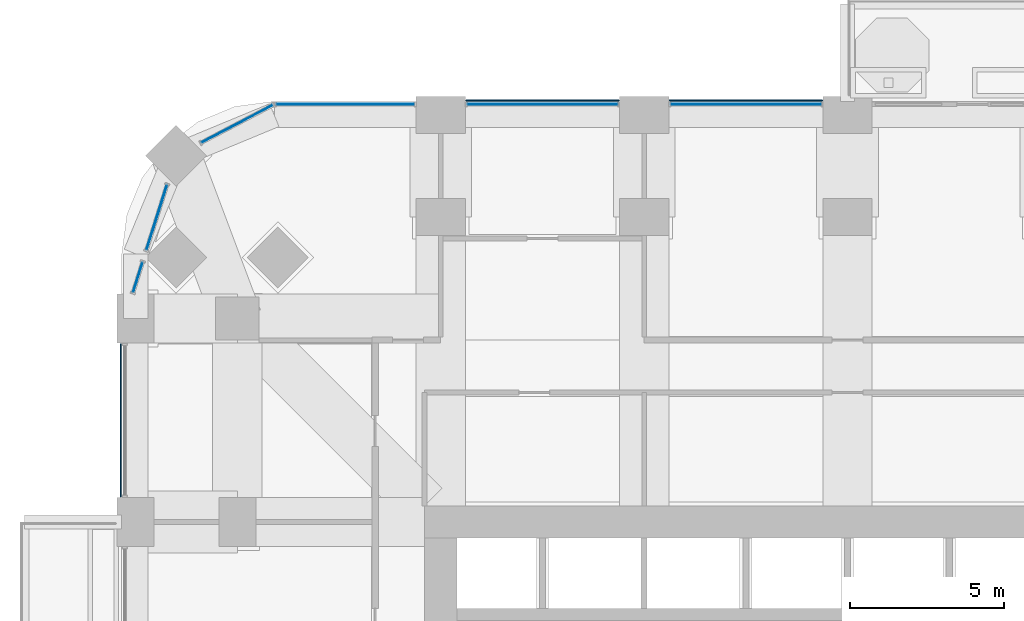
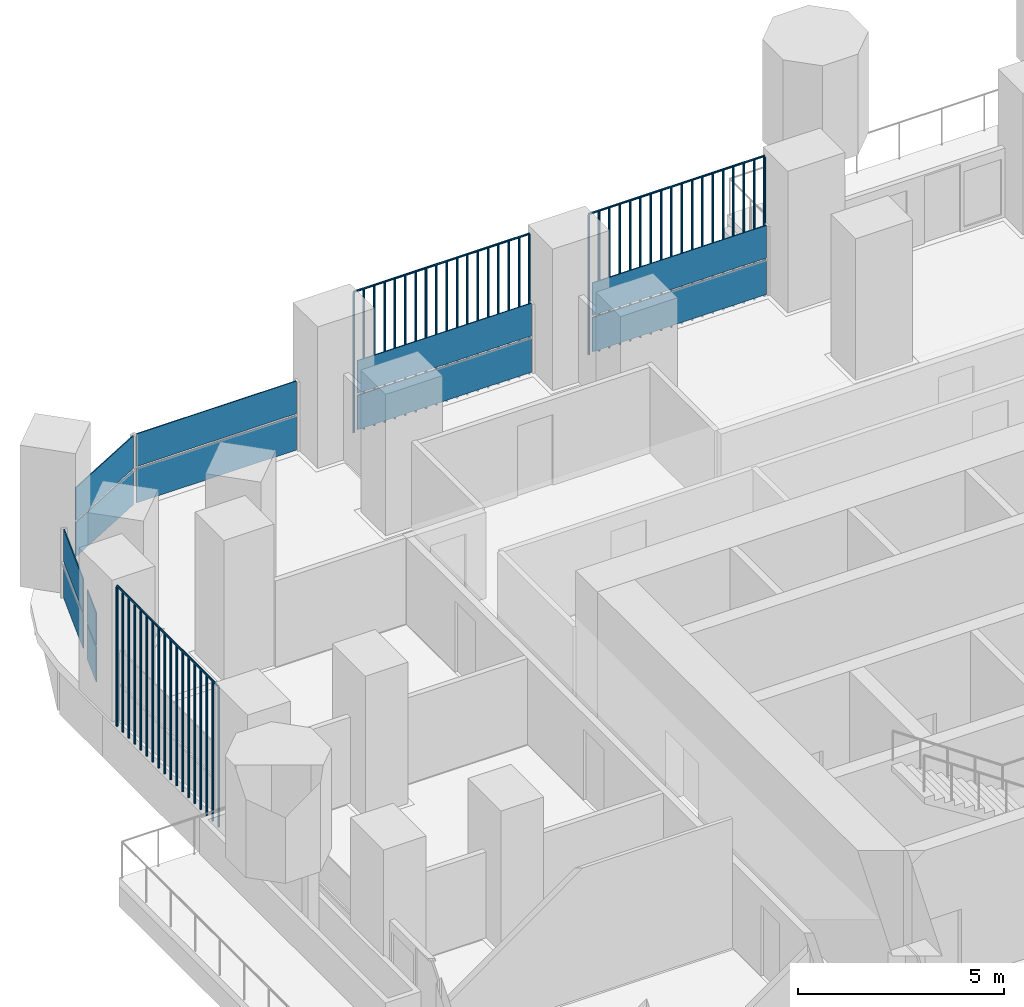
# One storey, part 12 of 22: 15 plates, 6 elements without a shape of their own.
"""IFC4 building model written with IfcOpenShell, lengths in metres."""

from ifc_helpers import new_model, si_unit, direction, frame, origin, origin_2d, place, context, subcontext, project, spatial, polyline, rectangle, outline, extrude, material, layer, layer_set, type_object, element, aggregate, save


model = new_model("IFC4")

# Units and contexts
model_context = context("Model", 3, precision=1e-05, world=origin(), true_north=direction((0.0, 1.0)))
body_context = subcontext(model_context, "Body", "Model", "MODEL_VIEW")
ifc_project = project(units=[si_unit("LENGTHUNIT", "METRE"), si_unit("AREAUNIT", "SQUARE_METRE"), si_unit("VOLUMEUNIT", "CUBIC_METRE"), si_unit("PLANEANGLEUNIT", "RADIAN"), si_unit("MASSUNIT", "GRAM", prefix="KILO")], contexts=[model_context])

# Site, building, storey
site_placement = place(None, origin())
site = spatial("IfcSite", under=ifc_project, at=site_placement, CompositionType="ELEMENT")
building_placement = place(site_placement, origin())
building = spatial("IfcBuilding", under=site, at=building_placement, Name="Cobogo Forest Laboratory Tower", CompositionType="ELEMENT")
storey_placement = place(building_placement, frame((0.0, 0.0, 145.199951171875)))
storey = spatial("IfcBuildingStorey", under=building, at=storey_placement, Name="L33", CompositionType="ELEMENT", Elevation=145.199951171875)

# Curtain wall, plates
ifc_material_1 = material(Name="Aluminium curtain wall", Category="aluminium")
curtain_wall_type = type_object("IfcCurtainWallType", Name="CW-1 unitised curtain wall, clear glazing, laboratory floors zones A and B", PredefinedType="USERDEFINED", material=ifc_material_1)
curtain_wall_1_placement = place(storey_placement, origin())
curtain_wall_1 = element("IfcCurtainWall", 1, at=curtain_wall_1_placement, inside=storey, type_object=curtain_wall_type, Name="Curtain wall 21 L33", ObjectType="UNITISED CURTAIN WALL", PredefinedType="USERDEFINED")
ifc_material_2 = material(Name="Clear insulated glass", Category="glass")
ifc_layer = layer(ifc_material_2, 0.028076171875)
ifc_layer_set = layer_set([ifc_layer], Name="GP-1 clear insulated glass unit 28")
plate_type_1 = type_object("IfcPlateType", Name="GP-1 clear insulated glass unit 28", PredefinedType="CURTAIN_PANEL", material=ifc_layer_set)
plate_1_placement = place(storey_placement, frame((23.10009765625, 46.550048828125, 0.0), z_axis=(0.0, 0.0, 1.0), x_axis=(-1.0, 0.0, 0.0)))
plate_1 = element("IfcPlate", 2, at=plate_1_placement, type_object=plate_type_1, Name="CW-1 panel 1.1", PredefinedType="CURTAIN_PANEL", context=body_context, shape_type="SweptSolid", body=[
    extrude(rectangle(XDim=4.8798828125, YDim=0.028076171875, at=origin_2d()), origin(), (0.0, 0.0, 1.0), 1.02001953125),
])
plate_2_placement = place(storey_placement, frame((23.10009765625, 46.550048828125, 1.080078125), z_axis=(0.0, 0.0, 1.0), x_axis=(-1.0, 0.0, 0.0)))
plate_2 = element("IfcPlate", 3, at=plate_2_placement, type_object=plate_type_1, Name="CW-1 panel 1.2", PredefinedType="CURTAIN_PANEL", context=body_context, shape_type="SweptSolid", body=[
    extrude(rectangle(XDim=4.8798828125, YDim=0.028076171875, at=origin_2d()), origin(), (0.0, 0.0, 1.0), 0.969970703125),
])
aggregate(curtain_wall_1, [plate_1, plate_2])

curtain_wall_2_placement = place(storey_placement, origin())
curtain_wall_2 = element("IfcCurtainWall", 4, at=curtain_wall_2_placement, inside=storey, type_object=curtain_wall_type, Name="Curtain wall 22 L33", ObjectType="UNITISED CURTAIN WALL", PredefinedType="USERDEFINED")
plate_3_placement = place(storey_placement, frame((16.5, 46.550048828125, 0.0), z_axis=(0.0, 0.0, 1.0), x_axis=(-1.0, 0.0, 0.0)))
plate_3 = element("IfcPlate", 5, at=plate_3_placement, type_object=plate_type_1, Name="CW-1 panel 1.1", PredefinedType="CURTAIN_PANEL", context=body_context, shape_type="SweptSolid", body=[
    extrude(rectangle(XDim=4.8798828125, YDim=0.028076171875, at=origin_2d()), origin(), (0.0, 0.0, 1.0), 1.02001953125),
])
plate_4_placement = place(storey_placement, frame((16.5, 46.550048828125, 1.080078125), z_axis=(0.0, 0.0, 1.0), x_axis=(-1.0, 0.0, 0.0)))
plate_4 = element("IfcPlate", 6, at=plate_4_placement, type_object=plate_type_1, Name="CW-1 panel 1.2", PredefinedType="CURTAIN_PANEL", context=body_context, shape_type="SweptSolid", body=[
    extrude(rectangle(XDim=4.8798828125, YDim=0.028076171875, at=origin_2d()), origin(), (0.0, 0.0, 1.0), 0.969970703125),
])
aggregate(curtain_wall_2, [plate_3, plate_4])

curtain_wall_3_placement = place(storey_placement, origin())
curtain_wall_3 = element("IfcCurtainWall", 7, at=curtain_wall_3_placement, inside=storey, type_object=curtain_wall_type, Name="Curtain wall 23 L33", ObjectType="UNITISED CURTAIN WALL", PredefinedType="USERDEFINED")
plate_5_placement = place(storey_placement, frame((10.10009765625, 46.550048828125, 0.0), z_axis=(0.0, 0.0, 1.0), x_axis=(-1.0, 0.0, 0.0)))
plate_5 = element("IfcPlate", 8, at=plate_5_placement, type_object=plate_type_1, Name="CW-1 panel 1.1", PredefinedType="CURTAIN_PANEL", context=body_context, shape_type="SweptSolid", body=[
    extrude(rectangle(XDim=4.47998046875, YDim=0.028076171875, at=origin_2d()), origin(), (0.0, 0.0, 1.0), 1.02001953125),
])
plate_6_placement = place(storey_placement, frame((10.10009765625, 46.550048828125, 1.080078125), z_axis=(0.0, 0.0, 1.0), x_axis=(-1.0, 0.0, 0.0)))
plate_6 = element("IfcPlate", 9, at=plate_6_placement, type_object=plate_type_1, Name="CW-1 panel 1.2", PredefinedType="CURTAIN_PANEL", context=body_context, shape_type="SweptSolid", body=[
    extrude(rectangle(XDim=4.47998046875, YDim=0.028076171875, at=origin_2d()), origin(), (0.0, 0.0, 1.0), 0.969970703125),
])
aggregate(curtain_wall_3, [plate_5, plate_6])

curtain_wall_4_placement = place(storey_placement, origin())
curtain_wall_4 = element("IfcCurtainWall", 10, at=curtain_wall_4_placement, inside=storey, type_object=curtain_wall_type, Name="Curtain wall 24 L33", ObjectType="UNITISED CURTAIN WALL", PredefinedType="USERDEFINED")
plate_7_placement = place(storey_placement, frame((6.593994140625, 45.917724609375, 0.0), z_axis=(0.0, 0.0, 1.0), x_axis=(-0.885686540666, -0.464283697413, 0.0)))
plate_7 = element("IfcPlate", 11, at=plate_7_placement, type_object=plate_type_1, Name="CW-1 panel 1.1", PredefinedType="CURTAIN_PANEL", context=body_context, shape_type="SweptSolid", body=[
    extrude(rectangle(XDim=2.603271484375, YDim=0.028076171875, at=origin_2d()), origin(), (0.0, 0.0, 1.0), 1.02001953125),
])
plate_8_placement = place(storey_placement, frame((6.593994140625, 45.917724609375, 1.080078125), z_axis=(0.0, 0.0, 1.0), x_axis=(-0.885686540666, -0.464283697413, 0.0)))
plate_8 = element("IfcPlate", 12, at=plate_8_placement, type_object=plate_type_1, Name="CW-1 panel 1.2", PredefinedType="CURTAIN_PANEL", context=body_context, shape_type="SweptSolid", body=[
    extrude(rectangle(XDim=2.603271484375, YDim=0.028076171875, at=origin_2d()), origin(), (0.0, 0.0, 1.0), 0.969970703125),
])
aggregate(curtain_wall_4, [plate_7, plate_8])

curtain_wall_5_placement = place(storey_placement, origin())
curtain_wall_5 = element("IfcCurtainWall", 13, at=curtain_wall_5_placement, inside=storey, type_object=curtain_wall_type, Name="Curtain wall 25 L33", ObjectType="UNITISED CURTAIN WALL", PredefinedType="USERDEFINED")
plate_9_placement = place(storey_placement, frame((3.986572265625, 42.882080078125, 0.0), z_axis=(0.0, 0.0, 1.0), x_axis=(-0.301135343623, -0.953581409645, 0.0)))
plate_9 = element("IfcPlate", 14, at=plate_9_placement, type_object=plate_type_1, Name="CW-1 panel 1.1", PredefinedType="CURTAIN_PANEL", context=body_context, shape_type="SweptSolid", body=[
    extrude(rectangle(XDim=2.203369140625, YDim=0.028076171875, at=origin_2d()), origin(), (0.0, 0.0, 1.0), 1.02001953125),
])
plate_10_placement = place(storey_placement, frame((3.986572265625, 42.882080078125, 1.080078125), z_axis=(0.0, 0.0, 1.0), x_axis=(-0.301135343623, -0.953581409645, 0.0)))
plate_10 = element("IfcPlate", 15, at=plate_10_placement, type_object=plate_type_1, Name="CW-1 panel 1.2", PredefinedType="CURTAIN_PANEL", context=body_context, shape_type="SweptSolid", body=[
    extrude(rectangle(XDim=2.203369140625, YDim=0.028076171875, at=origin_2d()), origin(), (0.0, 0.0, 1.0), 0.969970703125),
])
aggregate(curtain_wall_5, [plate_9, plate_10])

curtain_wall_6_placement = place(storey_placement, origin())
curtain_wall_6 = element("IfcCurtainWall", 16, at=curtain_wall_6_placement, inside=storey, type_object=curtain_wall_type, Name="Curtain wall 26 L33", ObjectType="UNITISED CURTAIN WALL", PredefinedType="USERDEFINED")
plate_11_placement = place(storey_placement, frame((3.37353515625, 40.94091796875, 0.0), z_axis=(0.0, 0.0, 1.0), x_axis=(-0.3011355018, -0.953581359694, 0.0)))
plate_11 = element("IfcPlate", 17, at=plate_11_placement, type_object=plate_type_1, Name="CW-1 panel 1.1", PredefinedType="CURTAIN_PANEL", context=body_context, shape_type="SweptSolid", body=[
    extrude(rectangle(XDim=1.0146484375, YDim=0.028076171875, at=origin_2d()), origin(), (0.0, 0.0, 1.0), 1.02001953125),
])
plate_12_placement = place(storey_placement, frame((3.37353515625, 40.94091796875, 1.080078125), z_axis=(0.0, 0.0, 1.0), x_axis=(-0.3011355018, -0.953581359694, 0.0)))
plate_12 = element("IfcPlate", 18, at=plate_12_placement, type_object=plate_type_1, Name="CW-1 panel 1.2", PredefinedType="CURTAIN_PANEL", context=body_context, shape_type="SweptSolid", body=[
    extrude(rectangle(XDim=1.0146484375, YDim=0.028076171875, at=origin_2d()), origin(), (0.0, 0.0, 1.0), 0.969970703125),
])
aggregate(curtain_wall_6, [plate_11, plate_12])

# Plates
ifc_material_3 = material(Name="Terracotta", Category="masonry")
plate_type_2 = type_object("IfcPlateType", Name="TB1 terracotta baguette screen", PredefinedType="USERDEFINED", material=ifc_material_3)
plate_13_placement = place(storey_placement, frame((14.03125, 46.677978515625, -0.14990234375)))
element("IfcPlate", 19, at=plate_13_placement, inside=storey, type_object=plate_type_2, Name="Baguette screen N1 L33", ObjectType="BAGUETTE SCREEN", PredefinedType="USERDEFINED", context=body_context, shape_type="SweptSolid", body=[
    extrude(outline(polyline([(0.02880859375, 0.011962890625), (0.011962890625, 0.02880859375), (-0.011962890625, 0.02880859375), (-0.02880859375, 0.011962890625), (-0.02880859375, -0.011962890625), (-0.011962890625, -0.02880859375), (0.011962890625, -0.02880859375), (0.02880859375, -0.011962890625), (0.02880859375, 0.011962890625)])), frame((0.0, 0.0, 4.168701171875), z_axis=(1.0, 0.0, 0.0), x_axis=(0.0, 1.0, 0.0)), (0.0, 0.0, 1.0), 4.9375),
    extrude(outline(polyline([(0.02880859375, 0.011962890625), (0.011962890625, 0.02880859375), (-0.011962890625, 0.02880859375), (-0.02880859375, 0.011962890625), (-0.02880859375, -0.011962890625), (-0.011962890625, -0.02880859375), (0.011962890625, -0.02880859375), (0.02880859375, -0.011962890625), (0.02880859375, 0.011962890625)])), origin(), (0.0, 0.0, 1.0), 4.137451171875),
    extrude(outline(polyline([(0.02880859375, 0.011962890625), (0.011962890625, 0.02880859375), (-0.011962890625, 0.02880859375), (-0.02880859375, 0.011962890625), (-0.02880859375, -0.011962890625), (-0.011962890625, -0.02880859375), (0.011962890625, -0.02880859375), (0.02880859375, -0.011962890625), (0.02880859375, 0.011962890625)])), frame((0.29052734375, 0.0, 0.0)), (0.0, 0.0, 1.0), 4.137451171875),
    extrude(outline(polyline([(0.02880859375, 0.011962890625), (0.011962890625, 0.02880859375), (-0.011962890625, 0.02880859375), (-0.02880859375, 0.011962890625), (-0.02880859375, -0.011962890625), (-0.011962890625, -0.02880859375), (0.011962890625, -0.02880859375), (0.02880859375, -0.011962890625), (0.02880859375, 0.011962890625)])), frame((0.580810546875, 0.0, 0.0)), (0.0, 0.0, 1.0), 4.137451171875),
    extrude(outline(polyline([(0.02880859375, 0.011962890625), (0.011962890625, 0.02880859375), (-0.011962890625, 0.02880859375), (-0.02880859375, 0.011962890625), (-0.02880859375, -0.011962890625), (-0.011962890625, -0.02880859375), (0.011962890625, -0.02880859375), (0.02880859375, -0.011962890625), (0.02880859375, 0.011962890625)])), frame((0.871337890625, 0.0, 0.0)), (0.0, 0.0, 1.0), 4.137451171875),
    extrude(outline(polyline([(0.02880859375, 0.011962890625), (0.011962890625, 0.02880859375), (-0.011962890625, 0.02880859375), (-0.02880859375, 0.011962890625), (-0.02880859375, -0.011962890625), (-0.011962890625, -0.02880859375), (0.011962890625, -0.02880859375), (0.02880859375, -0.011962890625), (0.02880859375, 0.011962890625)])), frame((1.161865234375, 0.0, 0.0)), (0.0, 0.0, 1.0), 4.137451171875),
    extrude(outline(polyline([(0.02880859375, 0.011962890625), (0.011962890625, 0.02880859375), (-0.011962890625, 0.02880859375), (-0.02880859375, 0.011962890625), (-0.02880859375, -0.011962890625), (-0.011962890625, -0.02880859375), (0.011962890625, -0.02880859375), (0.02880859375, -0.011962890625), (0.02880859375, 0.011962890625)])), frame((1.4521484375, 0.0, 0.0)), (0.0, 0.0, 1.0), 4.137451171875),
    extrude(outline(polyline([(0.02880859375, 0.011962890625), (0.011962890625, 0.02880859375), (-0.011962890625, 0.02880859375), (-0.02880859375, 0.011962890625), (-0.02880859375, -0.011962890625), (-0.011962890625, -0.02880859375), (0.011962890625, -0.02880859375), (0.02880859375, -0.011962890625), (0.02880859375, 0.011962890625)])), frame((1.74267578125, 0.0, 0.0)), (0.0, 0.0, 1.0), 4.137451171875),
    extrude(outline(polyline([(0.02880859375, 0.011962890625), (0.011962890625, 0.02880859375), (-0.011962890625, 0.02880859375), (-0.02880859375, 0.011962890625), (-0.02880859375, -0.011962890625), (-0.011962890625, -0.02880859375), (0.011962890625, -0.02880859375), (0.02880859375, -0.011962890625), (0.02880859375, 0.011962890625)])), frame((2.033203125, 0.0, 0.0)), (0.0, 0.0, 1.0), 4.137451171875),
    extrude(outline(polyline([(0.02880859375, 0.011962890625), (0.011962890625, 0.02880859375), (-0.011962890625, 0.02880859375), (-0.02880859375, 0.011962890625), (-0.02880859375, -0.011962890625), (-0.011962890625, -0.02880859375), (0.011962890625, -0.02880859375), (0.02880859375, -0.011962890625), (0.02880859375, 0.011962890625)])), frame((2.323486328125, 0.0, 0.0)), (0.0, 0.0, 1.0), 4.137451171875),
    extrude(outline(polyline([(0.02880859375, 0.011962890625), (0.011962890625, 0.02880859375), (-0.011962890625, 0.02880859375), (-0.02880859375, 0.011962890625), (-0.02880859375, -0.011962890625), (-0.011962890625, -0.02880859375), (0.011962890625, -0.02880859375), (0.02880859375, -0.011962890625), (0.02880859375, 0.011962890625)])), frame((2.614013671875, 0.0, 0.0)), (0.0, 0.0, 1.0), 4.137451171875),
    extrude(outline(polyline([(0.02880859375, 0.011962890625), (0.011962890625, 0.02880859375), (-0.011962890625, 0.02880859375), (-0.02880859375, 0.011962890625), (-0.02880859375, -0.011962890625), (-0.011962890625, -0.02880859375), (0.011962890625, -0.02880859375), (0.02880859375, -0.011962890625), (0.02880859375, 0.011962890625)])), frame((2.904296875, 0.0, 0.0)), (0.0, 0.0, 1.0), 4.137451171875),
    extrude(outline(polyline([(0.02880859375, 0.011962890625), (0.011962890625, 0.02880859375), (-0.011962890625, 0.02880859375), (-0.02880859375, 0.011962890625), (-0.02880859375, -0.011962890625), (-0.011962890625, -0.02880859375), (0.011962890625, -0.02880859375), (0.02880859375, -0.011962890625), (0.02880859375, 0.011962890625)])), frame((3.19482421875, 0.0, 0.0)), (0.0, 0.0, 1.0), 4.137451171875),
    extrude(outline(polyline([(0.02880859375, 0.011962890625), (0.011962890625, 0.02880859375), (-0.011962890625, 0.02880859375), (-0.02880859375, 0.011962890625), (-0.02880859375, -0.011962890625), (-0.011962890625, -0.02880859375), (0.011962890625, -0.02880859375), (0.02880859375, -0.011962890625), (0.02880859375, 0.011962890625)])), frame((3.4853515625, 0.0, 0.0)), (0.0, 0.0, 1.0), 4.137451171875),
    extrude(outline(polyline([(0.02880859375, 0.011962890625), (0.011962890625, 0.02880859375), (-0.011962890625, 0.02880859375), (-0.02880859375, 0.011962890625), (-0.02880859375, -0.011962890625), (-0.011962890625, -0.02880859375), (0.011962890625, -0.02880859375), (0.02880859375, -0.011962890625), (0.02880859375, 0.011962890625)])), frame((3.775634765625, 0.0, 0.0)), (0.0, 0.0, 1.0), 4.137451171875),
    extrude(outline(polyline([(0.02880859375, 0.011962890625), (0.011962890625, 0.02880859375), (-0.011962890625, 0.02880859375), (-0.02880859375, 0.011962890625), (-0.02880859375, -0.011962890625), (-0.011962890625, -0.02880859375), (0.011962890625, -0.02880859375), (0.02880859375, -0.011962890625), (0.02880859375, 0.011962890625)])), frame((4.066162109375, 0.0, 0.0)), (0.0, 0.0, 1.0), 4.137451171875),
    extrude(outline(polyline([(0.02880859375, 0.011962890625), (0.011962890625, 0.02880859375), (-0.011962890625, 0.02880859375), (-0.02880859375, 0.011962890625), (-0.02880859375, -0.011962890625), (-0.011962890625, -0.02880859375), (0.011962890625, -0.02880859375), (0.02880859375, -0.011962890625), (0.02880859375, 0.011962890625)])), frame((4.356689453125, 0.0, 0.0)), (0.0, 0.0, 1.0), 4.137451171875),
    extrude(outline(polyline([(0.02880859375, 0.011962890625), (0.011962890625, 0.02880859375), (-0.011962890625, 0.02880859375), (-0.02880859375, 0.011962890625), (-0.02880859375, -0.011962890625), (-0.011962890625, -0.02880859375), (0.011962890625, -0.02880859375), (0.02880859375, -0.011962890625), (0.02880859375, 0.011962890625)])), frame((4.64697265625, 0.0, 0.0)), (0.0, 0.0, 1.0), 4.137451171875),
    extrude(outline(polyline([(0.02880859375, 0.011962890625), (0.011962890625, 0.02880859375), (-0.011962890625, 0.02880859375), (-0.02880859375, 0.011962890625), (-0.02880859375, -0.011962890625), (-0.011962890625, -0.02880859375), (0.011962890625, -0.02880859375), (0.02880859375, -0.011962890625), (0.02880859375, 0.011962890625)])), frame((4.9375, 0.0, 0.0)), (0.0, 0.0, 1.0), 4.137451171875),
])
plate_14_placement = place(storey_placement, frame((20.63134765625, 46.677978515625, -0.14990234375)))
element("IfcPlate", 20, at=plate_14_placement, inside=storey, type_object=plate_type_2, Name="Baguette screen N2 L33", ObjectType="BAGUETTE SCREEN", PredefinedType="USERDEFINED", context=body_context, shape_type="SweptSolid", body=[
    extrude(outline(polyline([(0.02880859375, 0.011962890625), (0.011962890625, 0.02880859375), (-0.011962890625, 0.02880859375), (-0.02880859375, 0.011962890625), (-0.02880859375, -0.011962890625), (-0.011962890625, -0.02880859375), (0.011962890625, -0.02880859375), (0.02880859375, -0.011962890625), (0.02880859375, 0.011962890625)])), frame((0.0, 0.0, 4.168701171875), z_axis=(1.0, 0.0, 0.0), x_axis=(0.0, 1.0, 0.0)), (0.0, 0.0, 1.0), 4.9375),
    extrude(outline(polyline([(0.02880859375, 0.011962890625), (0.011962890625, 0.02880859375), (-0.011962890625, 0.02880859375), (-0.02880859375, 0.011962890625), (-0.02880859375, -0.011962890625), (-0.011962890625, -0.02880859375), (0.011962890625, -0.02880859375), (0.02880859375, -0.011962890625), (0.02880859375, 0.011962890625)])), origin(), (0.0, 0.0, 1.0), 4.137451171875),
    extrude(outline(polyline([(0.02880859375, 0.011962890625), (0.011962890625, 0.02880859375), (-0.011962890625, 0.02880859375), (-0.02880859375, 0.011962890625), (-0.02880859375, -0.011962890625), (-0.011962890625, -0.02880859375), (0.011962890625, -0.02880859375), (0.02880859375, -0.011962890625), (0.02880859375, 0.011962890625)])), frame((0.29052734375, 0.0, 0.0)), (0.0, 0.0, 1.0), 4.137451171875),
    extrude(outline(polyline([(0.02880859375, 0.011962890625), (0.011962890625, 0.02880859375), (-0.011962890625, 0.02880859375), (-0.02880859375, 0.011962890625), (-0.02880859375, -0.011962890625), (-0.011962890625, -0.02880859375), (0.011962890625, -0.02880859375), (0.02880859375, -0.011962890625), (0.02880859375, 0.011962890625)])), frame((0.580810546875, 0.0, 0.0)), (0.0, 0.0, 1.0), 4.137451171875),
    extrude(outline(polyline([(0.02880859375, 0.011962890625), (0.011962890625, 0.02880859375), (-0.011962890625, 0.02880859375), (-0.02880859375, 0.011962890625), (-0.02880859375, -0.011962890625), (-0.011962890625, -0.02880859375), (0.011962890625, -0.02880859375), (0.02880859375, -0.011962890625), (0.02880859375, 0.011962890625)])), frame((0.871337890625, 0.0, 0.0)), (0.0, 0.0, 1.0), 4.137451171875),
    extrude(outline(polyline([(0.02880859375, 0.011962890625), (0.011962890625, 0.02880859375), (-0.011962890625, 0.02880859375), (-0.02880859375, 0.011962890625), (-0.02880859375, -0.011962890625), (-0.011962890625, -0.02880859375), (0.011962890625, -0.02880859375), (0.02880859375, -0.011962890625), (0.02880859375, 0.011962890625)])), frame((1.161865234375, 0.0, 0.0)), (0.0, 0.0, 1.0), 4.137451171875),
    extrude(outline(polyline([(0.02880859375, 0.011962890625), (0.011962890625, 0.02880859375), (-0.011962890625, 0.02880859375), (-0.02880859375, 0.011962890625), (-0.02880859375, -0.011962890625), (-0.011962890625, -0.02880859375), (0.011962890625, -0.02880859375), (0.02880859375, -0.011962890625), (0.02880859375, 0.011962890625)])), frame((1.4521484375, 0.0, 0.0)), (0.0, 0.0, 1.0), 4.137451171875),
    extrude(outline(polyline([(0.02880859375, 0.011962890625), (0.011962890625, 0.02880859375), (-0.011962890625, 0.02880859375), (-0.02880859375, 0.011962890625), (-0.02880859375, -0.011962890625), (-0.011962890625, -0.02880859375), (0.011962890625, -0.02880859375), (0.02880859375, -0.011962890625), (0.02880859375, 0.011962890625)])), frame((1.74267578125, 0.0, 0.0)), (0.0, 0.0, 1.0), 4.137451171875),
    extrude(outline(polyline([(0.02880859375, 0.011962890625), (0.011962890625, 0.02880859375), (-0.011962890625, 0.02880859375), (-0.02880859375, 0.011962890625), (-0.02880859375, -0.011962890625), (-0.011962890625, -0.02880859375), (0.011962890625, -0.02880859375), (0.02880859375, -0.011962890625), (0.02880859375, 0.011962890625)])), frame((2.033203125, 0.0, 0.0)), (0.0, 0.0, 1.0), 4.137451171875),
    extrude(outline(polyline([(0.02880859375, 0.011962890625), (0.011962890625, 0.02880859375), (-0.011962890625, 0.02880859375), (-0.02880859375, 0.011962890625), (-0.02880859375, -0.011962890625), (-0.011962890625, -0.02880859375), (0.011962890625, -0.02880859375), (0.02880859375, -0.011962890625), (0.02880859375, 0.011962890625)])), frame((2.323486328125, 0.0, 0.0)), (0.0, 0.0, 1.0), 4.137451171875),
    extrude(outline(polyline([(0.02880859375, 0.011962890625), (0.011962890625, 0.02880859375), (-0.011962890625, 0.02880859375), (-0.02880859375, 0.011962890625), (-0.02880859375, -0.011962890625), (-0.011962890625, -0.02880859375), (0.011962890625, -0.02880859375), (0.02880859375, -0.011962890625), (0.02880859375, 0.011962890625)])), frame((2.614013671875, 0.0, 0.0)), (0.0, 0.0, 1.0), 4.137451171875),
    extrude(outline(polyline([(0.02880859375, 0.011962890625), (0.011962890625, 0.02880859375), (-0.011962890625, 0.02880859375), (-0.02880859375, 0.011962890625), (-0.02880859375, -0.011962890625), (-0.011962890625, -0.02880859375), (0.011962890625, -0.02880859375), (0.02880859375, -0.011962890625), (0.02880859375, 0.011962890625)])), frame((2.904296875, 0.0, 0.0)), (0.0, 0.0, 1.0), 4.137451171875),
    extrude(outline(polyline([(0.02880859375, 0.011962890625), (0.011962890625, 0.02880859375), (-0.011962890625, 0.02880859375), (-0.02880859375, 0.011962890625), (-0.02880859375, -0.011962890625), (-0.011962890625, -0.02880859375), (0.011962890625, -0.02880859375), (0.02880859375, -0.011962890625), (0.02880859375, 0.011962890625)])), frame((3.19482421875, 0.0, 0.0)), (0.0, 0.0, 1.0), 4.137451171875),
    extrude(outline(polyline([(0.02880859375, 0.011962890625), (0.011962890625, 0.02880859375), (-0.011962890625, 0.02880859375), (-0.02880859375, 0.011962890625), (-0.02880859375, -0.011962890625), (-0.011962890625, -0.02880859375), (0.011962890625, -0.02880859375), (0.02880859375, -0.011962890625), (0.02880859375, 0.011962890625)])), frame((3.4853515625, 0.0, 0.0)), (0.0, 0.0, 1.0), 4.137451171875),
    extrude(outline(polyline([(0.02880859375, 0.011962890625), (0.011962890625, 0.02880859375), (-0.011962890625, 0.02880859375), (-0.02880859375, 0.011962890625), (-0.02880859375, -0.011962890625), (-0.011962890625, -0.02880859375), (0.011962890625, -0.02880859375), (0.02880859375, -0.011962890625), (0.02880859375, 0.011962890625)])), frame((3.775634765625, 0.0, 0.0)), (0.0, 0.0, 1.0), 4.137451171875),
    extrude(outline(polyline([(0.02880859375, 0.011962890625), (0.011962890625, 0.02880859375), (-0.011962890625, 0.02880859375), (-0.02880859375, 0.011962890625), (-0.02880859375, -0.011962890625), (-0.011962890625, -0.02880859375), (0.011962890625, -0.02880859375), (0.02880859375, -0.011962890625), (0.02880859375, 0.011962890625)])), frame((4.066162109375, 0.0, 0.0)), (0.0, 0.0, 1.0), 4.137451171875),
    extrude(outline(polyline([(0.02880859375, 0.011962890625), (0.011962890625, 0.02880859375), (-0.011962890625, 0.02880859375), (-0.02880859375, 0.011962890625), (-0.02880859375, -0.011962890625), (-0.011962890625, -0.02880859375), (0.011962890625, -0.02880859375), (0.02880859375, -0.011962890625), (0.02880859375, 0.011962890625)])), frame((4.356689453125, 0.0, 0.0)), (0.0, 0.0, 1.0), 4.137451171875),
    extrude(outline(polyline([(0.02880859375, 0.011962890625), (0.011962890625, 0.02880859375), (-0.011962890625, 0.02880859375), (-0.02880859375, 0.011962890625), (-0.02880859375, -0.011962890625), (-0.011962890625, -0.02880859375), (0.011962890625, -0.02880859375), (0.02880859375, -0.011962890625), (0.02880859375, 0.011962890625)])), frame((4.64697265625, 0.0, 0.0)), (0.0, 0.0, 1.0), 4.137451171875),
    extrude(outline(polyline([(0.02880859375, 0.011962890625), (0.011962890625, 0.02880859375), (-0.011962890625, 0.02880859375), (-0.02880859375, 0.011962890625), (-0.02880859375, -0.011962890625), (-0.011962890625, -0.02880859375), (0.011962890625, -0.02880859375), (0.02880859375, -0.011962890625), (0.02880859375, 0.011962890625)])), frame((4.9375, 0.0, 0.0)), (0.0, 0.0, 1.0), 4.137451171875),
])
plate_15_placement = place(storey_placement, frame((2.822021484375, 33.831298828125, -0.14990234375)))
element("IfcPlate", 21, at=plate_15_placement, inside=storey, type_object=plate_type_2, Name="Baguette screen W5 L33", ObjectType="BAGUETTE SCREEN", PredefinedType="USERDEFINED", context=body_context, shape_type="SweptSolid", body=[
    extrude(outline(polyline([(0.02880859375, 0.011962890625), (0.011962890625, 0.02880859375), (-0.011962890625, 0.02880859375), (-0.02880859375, 0.011962890625), (-0.02880859375, -0.011962890625), (-0.011962890625, -0.02880859375), (0.011962890625, -0.02880859375), (0.02880859375, -0.011962890625), (0.02880859375, 0.011962890625)])), frame((0.0, 0.0, 4.168701171875), z_axis=(0.0, 1.0, 0.0), x_axis=(-1.0, 0.0, 0.0)), (0.0, 0.0, 1.0), 4.9375),
    extrude(outline(polyline([(0.02880859375, 0.011962890625), (0.011962890625, 0.02880859375), (-0.011962890625, 0.02880859375), (-0.02880859375, 0.011962890625), (-0.02880859375, -0.011962890625), (-0.011962890625, -0.02880859375), (0.011962890625, -0.02880859375), (0.02880859375, -0.011962890625), (0.02880859375, 0.011962890625)])), origin(), (0.0, 0.0, 1.0), 4.137451171875),
    extrude(outline(polyline([(0.02880859375, 0.011962890625), (0.011962890625, 0.02880859375), (-0.011962890625, 0.02880859375), (-0.02880859375, 0.011962890625), (-0.02880859375, -0.011962890625), (-0.011962890625, -0.02880859375), (0.011962890625, -0.02880859375), (0.02880859375, -0.011962890625), (0.02880859375, 0.011962890625)])), frame((0.0, 0.29052734375, 0.0)), (0.0, 0.0, 1.0), 4.137451171875),
    extrude(outline(polyline([(0.02880859375, 0.011962890625), (0.011962890625, 0.02880859375), (-0.011962890625, 0.02880859375), (-0.02880859375, 0.011962890625), (-0.02880859375, -0.011962890625), (-0.011962890625, -0.02880859375), (0.011962890625, -0.02880859375), (0.02880859375, -0.011962890625), (0.02880859375, 0.011962890625)])), frame((0.0, 0.580810546875, 0.0)), (0.0, 0.0, 1.0), 4.137451171875),
    extrude(outline(polyline([(0.02880859375, 0.011962890625), (0.011962890625, 0.02880859375), (-0.011962890625, 0.02880859375), (-0.02880859375, 0.011962890625), (-0.02880859375, -0.011962890625), (-0.011962890625, -0.02880859375), (0.011962890625, -0.02880859375), (0.02880859375, -0.011962890625), (0.02880859375, 0.011962890625)])), frame((0.0, 0.871337890625, 0.0)), (0.0, 0.0, 1.0), 4.137451171875),
    extrude(outline(polyline([(0.02880859375, 0.011962890625), (0.011962890625, 0.02880859375), (-0.011962890625, 0.02880859375), (-0.02880859375, 0.011962890625), (-0.02880859375, -0.011962890625), (-0.011962890625, -0.02880859375), (0.011962890625, -0.02880859375), (0.02880859375, -0.011962890625), (0.02880859375, 0.011962890625)])), frame((0.0, 1.161865234375, 0.0)), (0.0, 0.0, 1.0), 4.137451171875),
    extrude(outline(polyline([(0.02880859375, 0.011962890625), (0.011962890625, 0.02880859375), (-0.011962890625, 0.02880859375), (-0.02880859375, 0.011962890625), (-0.02880859375, -0.011962890625), (-0.011962890625, -0.02880859375), (0.011962890625, -0.02880859375), (0.02880859375, -0.011962890625), (0.02880859375, 0.011962890625)])), frame((0.0, 1.4521484375, 0.0)), (0.0, 0.0, 1.0), 4.137451171875),
    extrude(outline(polyline([(0.02880859375, 0.011962890625), (0.011962890625, 0.02880859375), (-0.011962890625, 0.02880859375), (-0.02880859375, 0.011962890625), (-0.02880859375, -0.011962890625), (-0.011962890625, -0.02880859375), (0.011962890625, -0.02880859375), (0.02880859375, -0.011962890625), (0.02880859375, 0.011962890625)])), frame((0.0, 1.74267578125, 0.0)), (0.0, 0.0, 1.0), 4.137451171875),
    extrude(outline(polyline([(0.02880859375, 0.011962890625), (0.011962890625, 0.02880859375), (-0.011962890625, 0.02880859375), (-0.02880859375, 0.011962890625), (-0.02880859375, -0.011962890625), (-0.011962890625, -0.02880859375), (0.011962890625, -0.02880859375), (0.02880859375, -0.011962890625), (0.02880859375, 0.011962890625)])), frame((0.0, 2.033203125, 0.0)), (0.0, 0.0, 1.0), 4.137451171875),
    extrude(outline(polyline([(0.02880859375, 0.011962890625), (0.011962890625, 0.02880859375), (-0.011962890625, 0.02880859375), (-0.02880859375, 0.011962890625), (-0.02880859375, -0.011962890625), (-0.011962890625, -0.02880859375), (0.011962890625, -0.02880859375), (0.02880859375, -0.011962890625), (0.02880859375, 0.011962890625)])), frame((0.0, 2.323486328125, 0.0)), (0.0, 0.0, 1.0), 4.137451171875),
    extrude(outline(polyline([(0.02880859375, 0.011962890625), (0.011962890625, 0.02880859375), (-0.011962890625, 0.02880859375), (-0.02880859375, 0.011962890625), (-0.02880859375, -0.011962890625), (-0.011962890625, -0.02880859375), (0.011962890625, -0.02880859375), (0.02880859375, -0.011962890625), (0.02880859375, 0.011962890625)])), frame((0.0, 2.614013671875, 0.0)), (0.0, 0.0, 1.0), 4.137451171875),
    extrude(outline(polyline([(0.02880859375, 0.011962890625), (0.011962890625, 0.02880859375), (-0.011962890625, 0.02880859375), (-0.02880859375, 0.011962890625), (-0.02880859375, -0.011962890625), (-0.011962890625, -0.02880859375), (0.011962890625, -0.02880859375), (0.02880859375, -0.011962890625), (0.02880859375, 0.011962890625)])), frame((0.0, 2.904296875, 0.0)), (0.0, 0.0, 1.0), 4.137451171875),
    extrude(outline(polyline([(0.02880859375, 0.011962890625), (0.011962890625, 0.02880859375), (-0.011962890625, 0.02880859375), (-0.02880859375, 0.011962890625), (-0.02880859375, -0.011962890625), (-0.011962890625, -0.02880859375), (0.011962890625, -0.02880859375), (0.02880859375, -0.011962890625), (0.02880859375, 0.011962890625)])), frame((0.0, 3.19482421875, 0.0)), (0.0, 0.0, 1.0), 4.137451171875),
    extrude(outline(polyline([(0.02880859375, 0.011962890625), (0.011962890625, 0.02880859375), (-0.011962890625, 0.02880859375), (-0.02880859375, 0.011962890625), (-0.02880859375, -0.011962890625), (-0.011962890625, -0.02880859375), (0.011962890625, -0.02880859375), (0.02880859375, -0.011962890625), (0.02880859375, 0.011962890625)])), frame((0.0, 3.4853515625, 0.0)), (0.0, 0.0, 1.0), 4.137451171875),
    extrude(outline(polyline([(0.02880859375, 0.011962890625), (0.011962890625, 0.02880859375), (-0.011962890625, 0.02880859375), (-0.02880859375, 0.011962890625), (-0.02880859375, -0.011962890625), (-0.011962890625, -0.02880859375), (0.011962890625, -0.02880859375), (0.02880859375, -0.011962890625), (0.02880859375, 0.011962890625)])), frame((0.0, 3.775634765625, 0.0)), (0.0, 0.0, 1.0), 4.137451171875),
    extrude(outline(polyline([(0.02880859375, 0.011962890625), (0.011962890625, 0.02880859375), (-0.011962890625, 0.02880859375), (-0.02880859375, 0.011962890625), (-0.02880859375, -0.011962890625), (-0.011962890625, -0.02880859375), (0.011962890625, -0.02880859375), (0.02880859375, -0.011962890625), (0.02880859375, 0.011962890625)])), frame((0.0, 4.066162109375, 0.0)), (0.0, 0.0, 1.0), 4.137451171875),
    extrude(outline(polyline([(0.02880859375, 0.011962890625), (0.011962890625, 0.02880859375), (-0.011962890625, 0.02880859375), (-0.02880859375, 0.011962890625), (-0.02880859375, -0.011962890625), (-0.011962890625, -0.02880859375), (0.011962890625, -0.02880859375), (0.02880859375, -0.011962890625), (0.02880859375, 0.011962890625)])), frame((0.0, 4.356689453125, 0.0)), (0.0, 0.0, 1.0), 4.137451171875),
    extrude(outline(polyline([(0.02880859375, 0.011962890625), (0.011962890625, 0.02880859375), (-0.011962890625, 0.02880859375), (-0.02880859375, 0.011962890625), (-0.02880859375, -0.011962890625), (-0.011962890625, -0.02880859375), (0.011962890625, -0.02880859375), (0.02880859375, -0.011962890625), (0.02880859375, 0.011962890625)])), frame((0.0, 4.64697265625, 0.0)), (0.0, 0.0, 1.0), 4.137451171875),
    extrude(outline(polyline([(0.02880859375, 0.011962890625), (0.011962890625, 0.02880859375), (-0.011962890625, 0.02880859375), (-0.02880859375, 0.011962890625), (-0.02880859375, -0.011962890625), (-0.011962890625, -0.02880859375), (0.011962890625, -0.02880859375), (0.02880859375, -0.011962890625), (0.02880859375, 0.011962890625)])), frame((0.0, 4.9375, 0.0)), (0.0, 0.0, 1.0), 4.137451171875),
])

save(model, "model.ifc")
